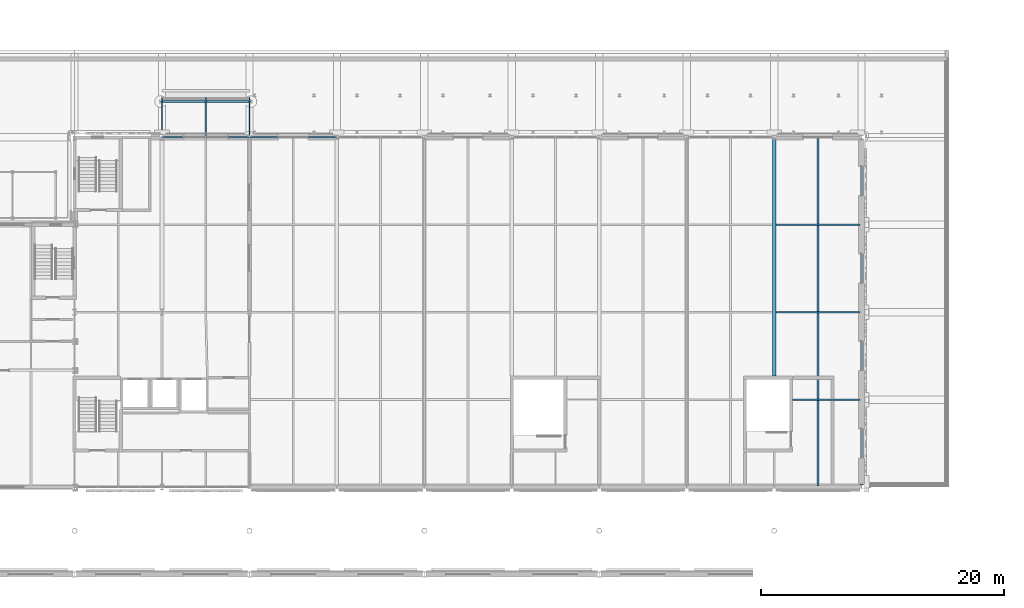
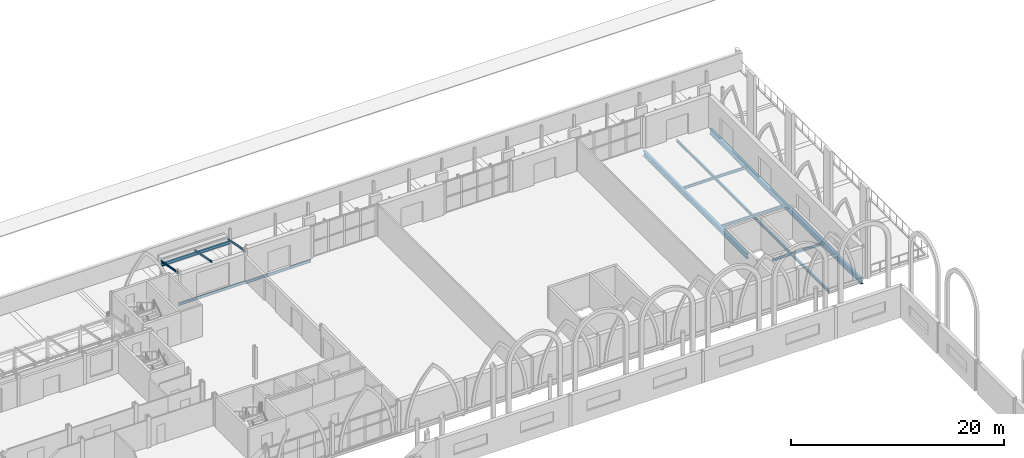
# One storey, part 57 of 143: 15 beams.
"""IFC4 building model written with IfcOpenShell, lengths in metres."""

from ifc_helpers import new_model, si_unit, direction, frame, origin, origin_2d, place, context, subcontext, project, spatial, i_section, extrude, material, material_profile, profile_set, type_object, element, save


model = new_model("IFC4")

# Units and contexts
model_context = context("Model", 3, precision=1e-05, world=origin(), true_north=direction((0.0, 1.0)))
body_context = subcontext(model_context, "Body", "Model", "MODEL_VIEW")
ifc_project = project(units=[si_unit("LENGTHUNIT", "METRE"), si_unit("AREAUNIT", "SQUARE_METRE"), si_unit("VOLUMEUNIT", "CUBIC_METRE"), si_unit("PLANEANGLEUNIT", "RADIAN"), si_unit("MASSUNIT", "GRAM", prefix="KILO")], contexts=[model_context])

# Site, building, storey
site_placement = place(None, origin())
site = spatial("IfcSite", under=ifc_project, at=site_placement, CompositionType="ELEMENT")
building_placement = place(site_placement, origin())
building = spatial("IfcBuilding", under=site, at=building_placement, Name="Kupolbacken Congress Centre", CompositionType="ELEMENT")
storey_placement = place(building_placement, frame((0.0, 0.0, 7.199951171875)))
storey = spatial("IfcBuildingStorey", under=building, at=storey_placement, Name="L02", CompositionType="ELEMENT", Elevation=7.199951171875)

# Beams
ifc_material_1 = material(Name="Steel S355", Category="steel")
ifc_material_profile_1 = material_profile(ifc_material_1, i_section(OverallWidth=0.10009765625, OverallDepth=0.199951171875, WebThickness=0.005615234375, FlangeThickness=0.008544921875, FilletRadius=0.011962890625, at=origin_2d()), Name="IPE 200")
ifc_profile_set_1 = profile_set([ifc_material_profile_1], Name="Steel S355")
beam_type_1 = type_object("IfcBeamType", Name="B01 beam IPE 200", PredefinedType="BEAM", material=ifc_profile_set_1)
beam_1_placement = place(storey_placement, frame((151.199951171875, 151.0400390625, 3.320068359375), z_axis=(0.0, 0.982216123483, -0.187753792957), x_axis=(-1.0, 0.0, 0.0)))
element("IfcBeam", 1, at=beam_1_placement, inside=storey, type_object=beam_type_1, Name="Canopy beam", PredefinedType="BEAM", context=body_context, shape_type="SweptSolid", body=[
    extrude(i_section(OverallWidth=0.10009765625, OverallDepth=0.199951171875, WebThickness=0.005615234375, FlangeThickness=0.008544921875, FilletRadius=0.011962890625, at=origin_2d()), origin(), (0.0, 0.0, 1.0), 3.46142578125),
])
beam_2_placement = place(storey_placement, frame((147.60009765625, 151.114990234375, 3.320068359375), z_axis=(0.0, 0.981427767981, -0.19183205216), x_axis=(-1.0, 0.0, 0.0)))
element("IfcBeam", 2, at=beam_2_placement, inside=storey, type_object=beam_type_1, Name="Canopy beam", PredefinedType="BEAM", context=body_context, shape_type="SweptSolid", body=[
    extrude(i_section(OverallWidth=0.10009765625, OverallDepth=0.199951171875, WebThickness=0.005615234375, FlangeThickness=0.008544921875, FilletRadius=0.011962890625, at=origin_2d()), origin(), (0.0, 0.0, 1.0), 3.387939453125),
])
beam_3_placement = place(storey_placement, frame((144.0, 150.965087890625, 3.320068359375), z_axis=(0.0, 0.982955741587, -0.183842351163), x_axis=(-1.0, 0.0, 0.0)))
element("IfcBeam", 3, at=beam_3_placement, inside=storey, type_object=beam_type_1, Name="Canopy beam", PredefinedType="BEAM", context=body_context, shape_type="SweptSolid", body=[
    extrude(i_section(OverallWidth=0.10009765625, OverallDepth=0.199951171875, WebThickness=0.005615234375, FlangeThickness=0.008544921875, FilletRadius=0.011962890625, at=origin_2d()), origin(), (0.0, 0.0, 1.0), 3.53515625),
])
ifc_material_2 = material(Name="Steel S355", Category="steel")
ifc_material_profile_2 = material_profile(ifc_material_2, i_section(OverallWidth=0.135009765625, OverallDepth=0.27001953125, WebThickness=0.006591796875, FlangeThickness=0.01025390625, FilletRadius=0.014892578125, at=origin_2d()), Name="IPE 270")
ifc_profile_set_2 = profile_set([ifc_material_profile_2], Name="Steel S355")
beam_type_2 = type_object("IfcBeamType", Name="B03 beam IPE 270", PredefinedType="BEAM", material=ifc_profile_set_2)
beam_4_placement = place(storey_placement, frame((195.925048828125, 129.60009765625, -0.35498046875), z_axis=(1.0, 0.0, 0.0), x_axis=(0.0, 1.0, 0.0)))
element("IfcBeam", 4, at=beam_4_placement, inside=storey, type_object=beam_type_2, Name="S/floor/B/L02/R023", PredefinedType="BEAM", context=body_context, shape_type="SweptSolid", body=[
    extrude(i_section(OverallWidth=0.135009765625, OverallDepth=0.27001953125, WebThickness=0.006591796875, FlangeThickness=0.01025390625, FilletRadius=0.014892578125, at=origin_2d()), origin(), (0.0, 0.0, 1.0), 5.52490234375),
])
ifc_material_3 = material(Name="Steel S355", Category="steel")
ifc_material_profile_3 = material_profile(ifc_material_3, i_section(OverallWidth=0.14990234375, OverallDepth=0.300048828125, WebThickness=0.007080078125, FlangeThickness=0.0107421875, FilletRadius=0.014892578125, at=origin_2d()), Name="IPE 300")
ifc_profile_set_3 = profile_set([ifc_material_profile_3], Name="Steel S355")
beam_type_3 = type_object("IfcBeamType", Name="B04 beam IPE 300", PredefinedType="BEAM", material=ifc_profile_set_3)
beam_5_placement = place(storey_placement, frame((144.007080078125, 151.199951171875, -0.329833984375), z_axis=(1.0, 0.0, 0.0), x_axis=(0.0, 1.0, 0.0)))
element("IfcBeam", 5, at=beam_5_placement, inside=storey, type_object=beam_type_3, Name="S/floor/BF/L02/R015", PredefinedType="BEAM", context=body_context, shape_type="SweptSolid", body=[
    extrude(i_section(OverallWidth=0.14990234375, OverallDepth=0.300048828125, WebThickness=0.007080078125, FlangeThickness=0.0107421875, FilletRadius=0.014892578125, at=origin_2d()), origin(), (0.0, 0.0, 1.0), 7.1875),
])
for number, where, z_axis, x_axis, name in (
    (6, (194.550048828125, 136.800048828125, -0.369873046875), (1.0, 0.0, 0.0), (0.0, 1.0, 0.0), "S/floor/B/L02/R030"),
    (7, (194.550048828125, 144.0, -0.369873046875), (1.0, 0.0, 0.0), (0.0, 1.0, 0.0), "S/floor/B/L02/R037"),
):
    element("IfcBeam", number, at=place(storey_placement, frame(where, z_axis=z_axis, x_axis=x_axis)), inside=storey, type_object=beam_type_3, Name=name, PredefinedType="BEAM", context=body_context, shape_type="SweptSolid", body=[
        extrude(i_section(OverallWidth=0.14990234375, OverallDepth=0.300048828125, WebThickness=0.007080078125, FlangeThickness=0.0107421875, FilletRadius=0.014892578125, at=origin_2d()), origin(), (0.0, 0.0, 1.0), 6.89990234375),
    ])
beam_6_placement = place(storey_placement, frame((151.20556640625, 151.199951171875, -0.369873046875), z_axis=(1.0, 0.0, 0.0), x_axis=(0.0, 1.0, 0.0)))
element("IfcBeam", 8, at=beam_6_placement, inside=storey, type_object=beam_type_3, Name="S/floor/B/L02/R038", PredefinedType="BEAM", context=body_context, shape_type="SweptSolid", body=[
    extrude(i_section(OverallWidth=0.14990234375, OverallDepth=0.300048828125, WebThickness=0.007080078125, FlangeThickness=0.0107421875, FilletRadius=0.014892578125, at=origin_2d()), origin(), (0.0, 0.0, 1.0), 7.18896484375),
])
beam_7_placement = place(storey_placement, frame((198.0, 122.47509765625, -0.369873046875), z_axis=(0.0, 1.0, 0.0), x_axis=(-1.0, 0.0, 0.0)))
element("IfcBeam", 9, at=beam_7_placement, inside=storey, type_object=beam_type_3, Name="S/floor/B/L02/S069", PredefinedType="BEAM", context=body_context, shape_type="SweptSolid", body=[
    extrude(i_section(OverallWidth=0.14990234375, OverallDepth=0.300048828125, WebThickness=0.007080078125, FlangeThickness=0.0107421875, FilletRadius=0.014892578125, at=origin_2d()), origin(), (0.0, 0.0, 1.0), 7.057373046875),
])
beam_8_placement = place(storey_placement, frame((198.0, 129.66748046875, -0.369873046875), z_axis=(0.0, 1.0, 0.0), x_axis=(-1.0, 0.0, 0.0)))
element("IfcBeam", 10, at=beam_8_placement, inside=storey, type_object=beam_type_3, Name="S/floor/B/L02/S070", PredefinedType="BEAM", context=body_context, shape_type="SweptSolid", body=[
    extrude(i_section(OverallWidth=0.14990234375, OverallDepth=0.300048828125, WebThickness=0.007080078125, FlangeThickness=0.0107421875, FilletRadius=0.014892578125, at=origin_2d()), origin(), (0.0, 0.0, 1.0), 7.0576171875),
])
for number, where, z_axis, x_axis, name in (
    (11, (198.0, 136.875, -0.369873046875), (0.0, 1.0, 0.0), (-1.0, 0.0, 0.0), "S/floor/B/L02/S071"),
    (12, (198.0, 144.074951171875, -0.369873046875), (0.0, 1.0, 0.0), (-1.0, 0.0, 0.0), "S/floor/B/L02/S072"),
):
    element("IfcBeam", number, at=place(storey_placement, frame(where, z_axis=z_axis, x_axis=x_axis)), inside=storey, type_object=beam_type_3, Name=name, PredefinedType="BEAM", context=body_context, shape_type="SweptSolid", body=[
        extrude(i_section(OverallWidth=0.14990234375, OverallDepth=0.300048828125, WebThickness=0.007080078125, FlangeThickness=0.0107421875, FilletRadius=0.014892578125, at=origin_2d()), origin(), (0.0, 0.0, 1.0), 7.050048828125),
    ])
ifc_material_4 = material(Name="Steel S355", Category="steel")
ifc_material_profile_4 = material_profile(ifc_material_4, i_section(OverallWidth=0.159912109375, OverallDepth=0.330078125, WebThickness=0.007568359375, FlangeThickness=0.011474609375, FilletRadius=0.01806640625, at=origin_2d()), Name="IPE 330")
ifc_profile_set_4 = profile_set([ifc_material_profile_4], Name="Steel S355")
beam_type_4 = type_object("IfcBeamType", Name="B05 beam IPE 330", PredefinedType="BEAM", material=ifc_profile_set_4)
beam_9_placement = place(storey_placement, frame((151.320068359375, 154.139892578125, 2.464111328125), z_axis=(-1.0, 0.0, 0.0), x_axis=(0.0, -1.0, 0.0)))
element("IfcBeam", 13, at=beam_9_placement, inside=storey, type_object=beam_type_4, Name="Canopy tip beam", PredefinedType="BEAM", context=body_context, shape_type="SweptSolid", body=[
    extrude(i_section(OverallWidth=0.159912109375, OverallDepth=0.330078125, WebThickness=0.007568359375, FlangeThickness=0.011474609375, FilletRadius=0.01806640625, at=origin_2d()), origin(), (0.0, 0.0, 1.0), 7.440185546875),
])
ifc_material_5 = material(Name="Steel S355", Category="steel")
ifc_material_profile_5 = material_profile(ifc_material_5, i_section(OverallWidth=0.300048828125, OverallDepth=0.60009765625, WebThickness=0.015380859375, FlangeThickness=0.030029296875, FilletRadius=0.027099609375, at=origin_2d()), Name="HEB 600")
ifc_profile_set_5 = profile_set([ifc_material_profile_5], Name="Steel S355")
beam_type_5 = type_object("IfcBeamType", Name="B15 beam HEB 600", PredefinedType="BEAM", material=ifc_profile_set_5)
beam_10_placement = place(storey_placement, frame((194.39990234375, 131.52490234375, -0.52001953125), z_axis=(0.0, 1.0, 0.0), x_axis=(-1.0, 0.0, 0.0)))
element("IfcBeam", 14, at=beam_10_placement, inside=storey, type_object=beam_type_5, Name="S/floor/B/L02/G008", PredefinedType="BEAM", context=body_context, shape_type="SweptSolid", body=[
    extrude(i_section(OverallWidth=0.300048828125, OverallDepth=0.60009765625, WebThickness=0.015380859375, FlangeThickness=0.030029296875, FilletRadius=0.027099609375, at=origin_2d()), origin(), (0.0, 0.0, 1.0), 19.525146484375),
])
beam_11_placement = place(storey_placement, frame((201.60009765625, 122.550048828125, -0.52001953125), z_axis=(0.0, 1.0, 0.0), x_axis=(-1.0, 0.0, 0.0)))
element("IfcBeam", 15, at=beam_11_placement, inside=storey, type_object=beam_type_5, Name="S/floor/B/L02/G009", PredefinedType="BEAM", context=body_context, shape_type="SweptSolid", body=[
    extrude(i_section(OverallWidth=0.300048828125, OverallDepth=0.60009765625, WebThickness=0.015380859375, FlangeThickness=0.030029296875, FilletRadius=0.027099609375, at=origin_2d()), origin(), (0.0, 0.0, 1.0), 28.5),
])

save(model, "model.ifc")
